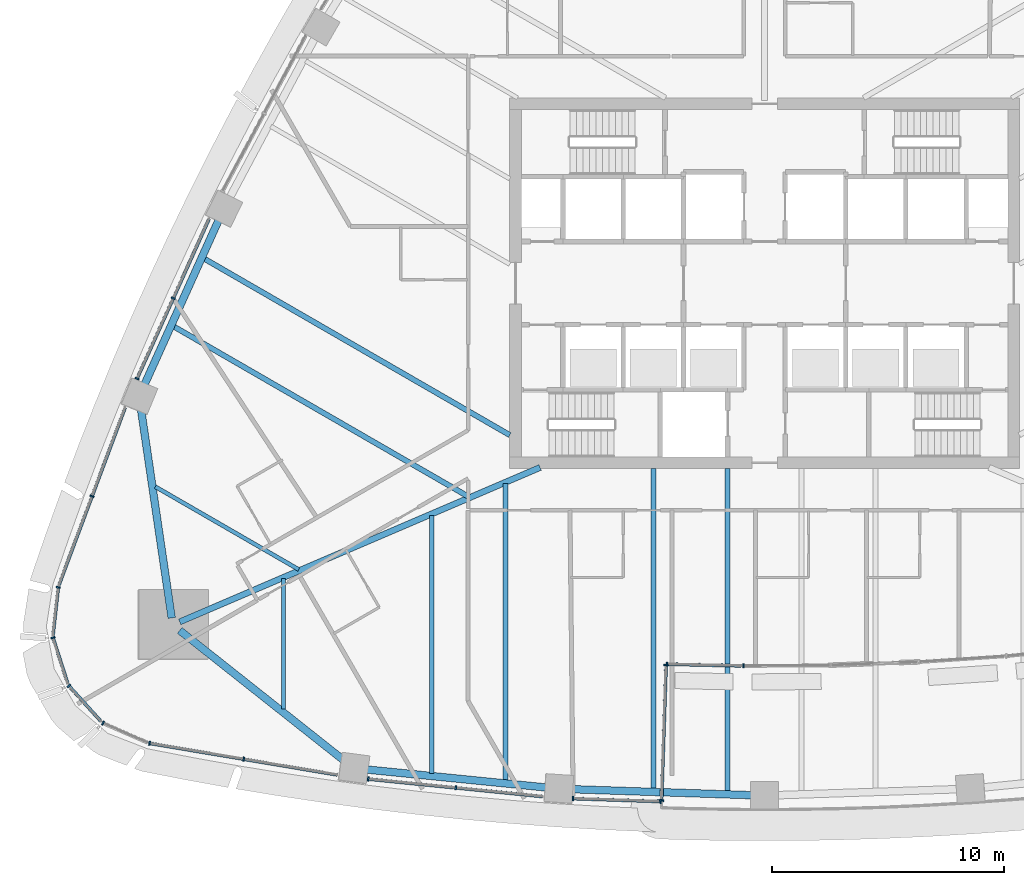
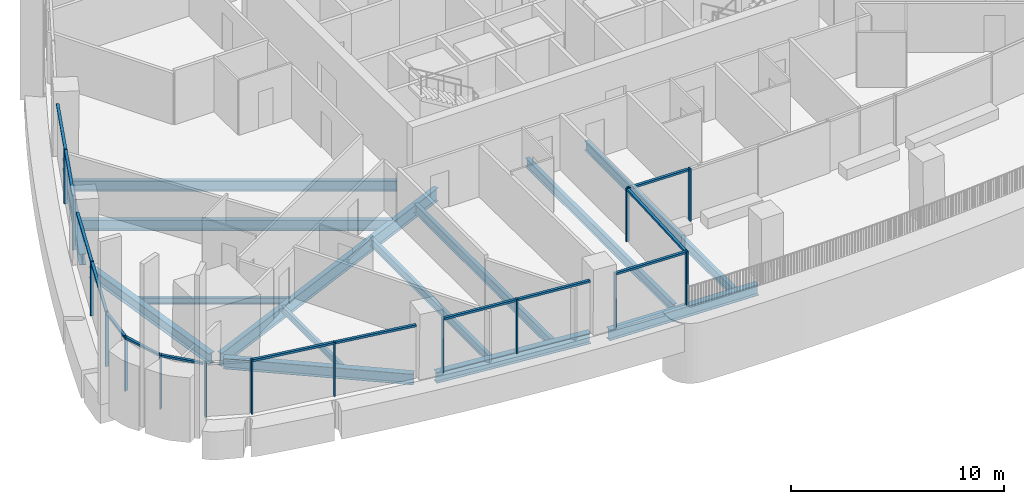
# One storey, part 2 of 22: 31 members, 14 beams, 12 elements without a shape of their own.
"""IFC4 building model written with IfcOpenShell, lengths in metres."""

from ifc_helpers import new_model, si_unit, direction, frame, origin, origin_2d, place, context, subcontext, project, spatial, rectangle, i_section, extrude, material, layer, layer_set, material_profile, profile_set, type_object, element, aggregate, save


model = new_model("IFC4")

# Units and contexts
model_context = context("Model", 3, precision=1e-05, world=origin(), true_north=direction((0.0, 1.0)))
body_context = subcontext(model_context, "Body", "Model", "MODEL_VIEW")
ifc_project = project(units=[si_unit("LENGTHUNIT", "METRE"), si_unit("AREAUNIT", "SQUARE_METRE"), si_unit("VOLUMEUNIT", "CUBIC_METRE"), si_unit("PLANEANGLEUNIT", "RADIAN"), si_unit("MASSUNIT", "GRAM", prefix="KILO")], contexts=[model_context])

# Site, building, storey
site_placement = place(None, origin())
site = spatial("IfcSite", under=ifc_project, at=site_placement, CompositionType="ELEMENT")
building_placement = place(site_placement, origin())
building = spatial("IfcBuilding", under=site, at=building_placement, Name="Sierra Prisma Convention Tower", CompositionType="ELEMENT")
storey_placement = place(building_placement, frame((0.0, 0.0, 103.5)))
storey = spatial("IfcBuildingStorey", under=building, at=storey_placement, Name="L22", CompositionType="ELEMENT", Elevation=103.5)

# Curtain wall, members
ifc_material_1 = material(Name="Aluminium and glass curtain wall", Category="aluminium")
ifc_layer_1 = layer(ifc_material_1, 0.179931640625)
ifc_layer_set_1 = layer_set([ifc_layer_1], Name="CW-1 Plain shaft curtain wall")
curtain_wall_type_1 = type_object("IfcCurtainWallType", Name="CW-1 Plain shaft curtain wall", PredefinedType="NOTDEFINED", material=ifc_layer_set_1)
curtain_wall_1_placement = place(storey_placement, origin())
curtain_wall_1 = element("IfcCurtainWall", 1, at=curtain_wall_1_placement, inside=storey, type_object=curtain_wall_type_1, Name="CW-1 NW5 L22", PredefinedType="NOTDEFINED")
ifc_material_2 = material(Name="Aluminium 6063-T6 bronze anodised", Category="aluminium")
ifc_material_profile_1 = material_profile(ifc_material_2, rectangle(XDim=0.179931640625, YDim=0.070068359375, at=origin_2d()), Name="ALU MULLION 70x180")
ifc_profile_set_1 = profile_set([ifc_material_profile_1], Name="Aluminium 6063-T6 bronze anodised")
member_type_1 = type_object("IfcMemberType", Name="CW mullion bronze", PredefinedType="MULLION", material=ifc_profile_set_1)
member_1_placement = place(storey_placement, frame((-25.5244140625, -0.652099609375, 0.0), z_axis=(0.0, 0.0, 1.0), x_axis=(0.911598754086, -0.411081149591, 0.0)))
member_1 = element("IfcMember", 2, at=member_1_placement, type_object=member_type_1, Name="CW-1 mullion NW5.2", PredefinedType="MULLION", context=body_context, shape_type="SweptSolid", body=[
    extrude(rectangle(XDim=0.179931640625, YDim=0.070068359375, at=origin_2d()), origin(), (0.0, 0.0, 1.0), 3.10009765625),
])
member_2_placement = place(storey_placement, frame((-27.087158203125, -4.117431640625, 0.0), z_axis=(0.0, 0.0, 1.0), x_axis=(0.911598754086, -0.411081149591, 0.0)))
member_2 = element("IfcMember", 3, at=member_2_placement, type_object=member_type_1, Name="CW-1 mullion NW5.3", PredefinedType="MULLION", context=body_context, shape_type="SweptSolid", body=[
    extrude(rectangle(XDim=0.179931640625, YDim=0.070068359375, at=origin_2d()), origin(), (0.0, 0.0, 1.0), 3.10009765625),
])

# Curtain wall, member
curtain_wall_2_placement = place(storey_placement, origin())
curtain_wall_2 = element("IfcCurtainWall", 4, at=curtain_wall_2_placement, inside=storey, type_object=curtain_wall_type_1, Name="CW-1 NW6 L22", PredefinedType="NOTDEFINED")
member_3_placement = place(storey_placement, frame((-29.02978515625, -9.196533203125, 0.0), z_axis=(0.0, 0.0, 1.0), x_axis=(0.936949300412, -0.349465317961, 0.0)))
member_3 = element("IfcMember", 5, at=member_3_placement, type_object=member_type_1, Name="CW-1 mullion NW6.2", PredefinedType="MULLION", context=body_context, shape_type="SweptSolid", body=[
    extrude(rectangle(XDim=0.179931640625, YDim=0.070068359375, at=origin_2d()), origin(), (0.0, 0.0, 1.0), 3.10009765625),
])

curtain_wall_3_placement = place(storey_placement, origin())
curtain_wall_3 = element("IfcCurtainWall", 6, at=curtain_wall_3_placement, inside=storey, type_object=curtain_wall_type_1, Name="CW-1 SW1 L22", PredefinedType="NOTDEFINED")
member_4_placement = place(storey_placement, frame((-30.487060546875, -13.1279296875, 0.0), z_axis=(0.0, 0.0, 1.0), x_axis=(0.993750098227, -0.111627694925, 0.0)))
member_4 = element("IfcMember", 7, at=member_4_placement, type_object=member_type_1, Name="CW-1 mullion SW1.1", PredefinedType="MULLION", context=body_context, shape_type="SweptSolid", body=[
    extrude(rectangle(XDim=0.179931640625, YDim=0.070068359375, at=origin_2d()), origin(), (0.0, 0.0, 1.0), 3.10009765625),
])

curtain_wall_4_placement = place(storey_placement, origin())
curtain_wall_4 = element("IfcCurtainWall", 8, at=curtain_wall_4_placement, inside=storey, type_object=curtain_wall_type_1, Name="CW-1 SW2 L22", PredefinedType="NOTDEFINED")
member_5_placement = place(storey_placement, frame((-30.717041015625, -15.30224609375, 0.0), z_axis=(0.0, 0.0, 1.0), x_axis=(0.951789392567, 0.306752265187, 0.0)))
member_5 = element("IfcMember", 9, at=member_5_placement, type_object=member_type_1, Name="CW-1 mullion SW2.1", PredefinedType="MULLION", context=body_context, shape_type="SweptSolid", body=[
    extrude(rectangle(XDim=0.179931640625, YDim=0.070068359375, at=origin_2d()), origin(), (0.0, 0.0, 1.0), 3.10009765625),
])

curtain_wall_5_placement = place(storey_placement, origin())
curtain_wall_5 = element("IfcCurtainWall", 10, at=curtain_wall_5_placement, inside=storey, type_object=curtain_wall_type_1, Name="CW-1 SW3 L22", PredefinedType="NOTDEFINED")
member_6_placement = place(storey_placement, frame((-30.032470703125, -17.37890625, 0.0), z_axis=(0.0, 0.0, 1.0), x_axis=(0.741549950604, 0.670897660422, 0.0)))
member_6 = element("IfcMember", 11, at=member_6_placement, type_object=member_type_1, Name="CW-1 mullion SW3.1", PredefinedType="MULLION", context=body_context, shape_type="SweptSolid", body=[
    extrude(rectangle(XDim=0.179931640625, YDim=0.070068359375, at=origin_2d()), origin(), (0.0, 0.0, 1.0), 3.10009765625),
])

curtain_wall_6_placement = place(storey_placement, origin())
curtain_wall_6 = element("IfcCurtainWall", 12, at=curtain_wall_6_placement, inside=storey, type_object=curtain_wall_type_1, Name="CW-1 SW4 L22", PredefinedType="NOTDEFINED")
member_7_placement = place(storey_placement, frame((-28.554931640625, -18.990478515625, 0.0), z_axis=(0.0, 0.0, 1.0), x_axis=(0.400202629542, 0.91642667754, 0.0)))
member_7 = element("IfcMember", 13, at=member_7_placement, type_object=member_type_1, Name="CW-1 mullion SW4.1", PredefinedType="MULLION", context=body_context, shape_type="SweptSolid", body=[
    extrude(rectangle(XDim=0.179931640625, YDim=0.070068359375, at=origin_2d()), origin(), (0.0, 0.0, 1.0), 3.10009765625),
])
aggregate(curtain_wall_6, [member_7])

# Curtain wall, members
curtain_wall_7_placement = place(storey_placement, origin())
curtain_wall_7 = element("IfcCurtainWall", 14, at=curtain_wall_7_placement, inside=storey, type_object=curtain_wall_type_1, Name="CW-1 S1 L22", PredefinedType="NOTDEFINED")
member_8_placement = place(storey_placement, frame((-26.546142578125, -19.8583984375, 0.0), z_axis=(0.0, 0.0, 1.0), x_axis=(0.16582880711, 0.986154555195, 0.0)))
member_8 = element("IfcMember", 15, at=member_8_placement, type_object=member_type_1, Name="CW-1 mullion S1.1", PredefinedType="MULLION", context=body_context, shape_type="SweptSolid", body=[
    extrude(rectangle(XDim=0.179931640625, YDim=0.070068359375, at=origin_2d()), origin(), (0.0, 0.0, 1.0), 3.10009765625),
])
member_9_placement = place(storey_placement, frame((-22.479248046875, -20.54248046875, 0.0), z_axis=(0.0, 0.0, 1.0), x_axis=(0.16582880711, 0.986154555195, 0.0)))
member_9 = element("IfcMember", 16, at=member_9_placement, type_object=member_type_1, Name="CW-1 mullion S1.2", PredefinedType="MULLION", context=body_context, shape_type="SweptSolid", body=[
    extrude(rectangle(XDim=0.179931640625, YDim=0.070068359375, at=origin_2d()), origin(), (0.0, 0.0, 1.0), 3.10009765625),
])

curtain_wall_8_placement = place(storey_placement, origin())
curtain_wall_8 = element("IfcCurtainWall", 17, at=curtain_wall_8_placement, inside=storey, type_object=curtain_wall_type_1, Name="CW-1 S2 L22", PredefinedType="NOTDEFINED")
member_10_placement = place(storey_placement, frame((-17.109375, -21.3994140625, 0.0), z_axis=(0.0, 0.0, 1.0), x_axis=(0.09979265848, 0.995008253892, 0.0)))
member_10 = element("IfcMember", 18, at=member_10_placement, type_object=member_type_1, Name="CW-1 mullion S2.1", PredefinedType="MULLION", context=body_context, shape_type="SweptSolid", body=[
    extrude(rectangle(XDim=0.179931640625, YDim=0.070068359375, at=origin_2d()), origin(), (0.0, 0.0, 1.0), 3.10009765625),
])
member_11_placement = place(storey_placement, frame((-13.3271484375, -21.77880859375, 0.0), z_axis=(0.0, 0.0, 1.0), x_axis=(0.09979265848, 0.995008253892, 0.0)))
member_11 = element("IfcMember", 19, at=member_11_placement, type_object=member_type_1, Name="CW-1 mullion S2.2", PredefinedType="MULLION", context=body_context, shape_type="SweptSolid", body=[
    extrude(rectangle(XDim=0.179931640625, YDim=0.070068359375, at=origin_2d()), origin(), (0.0, 0.0, 1.0), 3.10009765625),
])

curtain_wall_9_placement = place(storey_placement, origin())
curtain_wall_9 = element("IfcCurtainWall", 20, at=curtain_wall_9_placement, inside=storey, type_object=curtain_wall_type_1, Name="CW-1 S3 L22", PredefinedType="NOTDEFINED")
member_12_placement = place(storey_placement, frame((-8.265380859375, -22.2431640625, 0.0), z_axis=(0.0, 0.0, 1.0), x_axis=(0.033313514183, 0.999444950847, 0.0)))
member_12 = element("IfcMember", 21, at=member_12_placement, type_object=member_type_1, Name="CW-1 mullion S3.1", PredefinedType="MULLION", context=body_context, shape_type="SweptSolid", body=[
    extrude(rectangle(XDim=0.179931640625, YDim=0.070068359375, at=origin_2d()), origin(), (0.0, 0.0, 1.0), 3.10009765625),
])
member_13_placement = place(storey_placement, frame((-4.485107421875, -22.369140625, 0.0), z_axis=(0.0, 0.0, 1.0), x_axis=(0.033313514183, 0.999444950847, 0.0)))
member_13 = element("IfcMember", 22, at=member_13_placement, type_object=member_type_1, Name="CW-1 mullion S3.2", PredefinedType="MULLION", context=body_context, shape_type="SweptSolid", body=[
    extrude(rectangle(XDim=0.179931640625, YDim=0.070068359375, at=origin_2d()), origin(), (0.0, 0.0, 1.0), 3.10009765625),
])

# Curtain wall, member
ifc_material_3 = material(Name="Aluminium and glass curtain wall", Category="aluminium")
ifc_layer_2 = layer(ifc_material_3, 0.179931640625)
ifc_layer_set_2 = layer_set([ifc_layer_2], Name="CW-6 Terrace recess curtain wall")
curtain_wall_type_2 = type_object("IfcCurtainWallType", Name="CW-6 Terrace recess curtain wall", PredefinedType="NOTDEFINED", material=ifc_layer_set_2)
curtain_wall_10_placement = place(storey_placement, origin())
curtain_wall_10 = element("IfcCurtainWall", 23, at=curtain_wall_10_placement, inside=storey, type_object=curtain_wall_type_2, Name="CW-6 R1 L22", PredefinedType="NOTDEFINED")
member_14_placement = place(storey_placement, frame((-4.217529296875, -16.442138671875, 0.0), z_axis=(0.0, 0.0, 1.0), x_axis=(0.022211292695, 0.999753298808, 0.0)))
member_14 = element("IfcMember", 24, at=member_14_placement, type_object=member_type_1, Name="CW-6 mullion R1.1", PredefinedType="MULLION", context=body_context, shape_type="SweptSolid", body=[
    extrude(rectangle(XDim=0.179931640625, YDim=0.070068359375, at=origin_2d()), origin(), (0.0, 0.0, 1.0), 3.0400390625),
])

curtain_wall_11_placement = place(storey_placement, origin())
curtain_wall_11 = element("IfcCurtainWall", 25, at=curtain_wall_11_placement, inside=storey, type_object=curtain_wall_type_2, Name="CW-6 R2 L22", PredefinedType="NOTDEFINED")
member_15_placement = place(storey_placement, frame((-0.91162109375, -16.5146484375, 0.0), z_axis=(0.0, 0.0, 1.0), x_axis=(-0.007404305468, 0.999972587755, 0.0)))
member_15 = element("IfcMember", 26, at=member_15_placement, type_object=member_type_1, Name="CW-6 mullion R2.1", PredefinedType="MULLION", context=body_context, shape_type="SweptSolid", body=[
    extrude(rectangle(XDim=0.179931640625, YDim=0.070068359375, at=origin_2d()), origin(), (0.0, 0.0, 1.0), 3.0400390625),
])
aggregate(curtain_wall_11, [member_15])

# Curtain wall, members
curtain_wall_12_placement = place(storey_placement, origin())
curtain_wall_12 = element("IfcCurtainWall", 27, at=curtain_wall_12_placement, inside=storey, type_object=curtain_wall_type_2, Name="CW-6 RT1 L22", PredefinedType="NOTDEFINED")
member_16_placement = place(storey_placement, frame((-4.448974609375, -22.335205078125, 0.0), z_axis=(0.0, 0.0, 1.0), x_axis=(-0.999444950847, 0.033313514183, 0.0)))
member_16 = element("IfcMember", 28, at=member_16_placement, type_object=member_type_1, Name="CW-6 mullion RT1.1", PredefinedType="MULLION", context=body_context, shape_type="SweptSolid", body=[
    extrude(rectangle(XDim=0.179931640625, YDim=0.070068359375, at=origin_2d()), origin(), (0.0, 0.0, 1.0), 3.0400390625),
])
member_17_placement = place(storey_placement, frame((-4.253662109375, -16.476318359375, 0.0), z_axis=(0.0, 0.0, 1.0), x_axis=(-0.999444950847, 0.033313514183, 0.0)))
member_17 = element("IfcMember", 29, at=member_17_placement, type_object=member_type_1, Name="CW-6 mullion RT1.2", PredefinedType="MULLION", context=body_context, shape_type="SweptSolid", body=[
    extrude(rectangle(XDim=0.179931640625, YDim=0.070068359375, at=origin_2d()), origin(), (0.0, 0.0, 1.0), 3.0400390625),
])

# Member
ifc_material_4 = material(Name="Aluminium 6063-T6 bronze anodised", Category="aluminium")
ifc_material_profile_2 = material_profile(ifc_material_4, rectangle(XDim=0.139892578125, YDim=0.1201171875, at=origin_2d()), Name="ALU TRANSOM 120x140")
ifc_profile_set_2 = profile_set([ifc_material_profile_2], Name="Aluminium 6063-T6 bronze anodised")
member_type_2 = type_object("IfcMemberType", Name="CW transom bronze", PredefinedType="USERDEFINED", material=ifc_profile_set_2)
member_18_placement = place(storey_placement, frame((-23.976318359375, 2.78125, 3.0400390625), z_axis=(-0.411025661948, -0.911623773944, 0.0), x_axis=(0.911623773944, -0.411025661948, 0.0)))
member_18 = element("IfcMember", 30, at=member_18_placement, type_object=member_type_2, Name="CW-1 transom NW5.1", ObjectType="TRANSOM", PredefinedType="USERDEFINED", context=body_context, shape_type="SweptSolid", body=[
    extrude(rectangle(XDim=0.139892578125, YDim=0.1201171875, at=origin_2d()), origin(), (0.0, 0.0, 1.0), 3.7314453125),
])

member_19_placement = place(storey_placement, frame((-25.538818359375, -0.68408203125, 3.0400390625), z_axis=(-0.411080035132, -0.911599256645, 0.0), x_axis=(0.911599256645, -0.411080035132, 0.0)))
member_19 = element("IfcMember", 31, at=member_19_placement, type_object=member_type_2, Name="CW-1 transom NW5.2", ObjectType="TRANSOM", PredefinedType="USERDEFINED", context=body_context, shape_type="SweptSolid", body=[
    extrude(rectangle(XDim=0.139892578125, YDim=0.1201171875, at=origin_2d()), origin(), (0.0, 0.0, 1.0), 3.7314453125),
])

aggregate(curtain_wall_1, [member_1, member_2, member_18, member_19])

member_20_placement = place(storey_placement, frame((-27.600830078125, -5.365234375, 3.0400390625), z_axis=(-0.349472956494, -0.93694645134, 0.0), x_axis=(0.93694645134, -0.349472956494, 0.0)))
member_20 = element("IfcMember", 32, at=member_20_placement, type_object=member_type_2, Name="CW-1 transom NW6.1", ObjectType="TRANSOM", PredefinedType="USERDEFINED", context=body_context, shape_type="SweptSolid", body=[
    extrude(rectangle(XDim=0.139892578125, YDim=0.1201171875, at=origin_2d()), origin(), (0.0, 0.0, 1.0), 4.053955078125),
])

member_21_placement = place(storey_placement, frame((-29.0419921875, -9.229248046875, 3.0400390625), z_axis=(-0.349472956494, -0.93694645134, 0.0), x_axis=(0.93694645134, -0.349472956494, 0.0)))
member_21 = element("IfcMember", 33, at=member_21_placement, type_object=member_type_2, Name="CW-1 transom NW6.2", ObjectType="TRANSOM", PredefinedType="USERDEFINED", context=body_context, shape_type="SweptSolid", body=[
    extrude(rectangle(XDim=0.139892578125, YDim=0.1201171875, at=origin_2d()), origin(), (0.0, 0.0, 1.0), 4.053955078125),
])

aggregate(curtain_wall_2, [member_3, member_20, member_21])

member_22_placement = place(storey_placement, frame((-30.490966796875, -13.16259765625, 3.0400390625), z_axis=(-0.111608043891, -0.993752305426, 0.0), x_axis=(0.993752305426, -0.111608043891, 0.0)))
member_22 = element("IfcMember", 34, at=member_22_placement, type_object=member_type_2, Name="CW-1 transom SW1.1", ObjectType="TRANSOM", PredefinedType="USERDEFINED", context=body_context, shape_type="SweptSolid", body=[
    extrude(rectangle(XDim=0.139892578125, YDim=0.1201171875, at=origin_2d()), origin(), (0.0, 0.0, 1.0), 2.049560546875),
])

aggregate(curtain_wall_3, [member_4, member_22])

member_23_placement = place(storey_placement, frame((-30.706298828125, -15.33544921875, 3.0400390625), z_axis=(0.306849639439, -0.951758004314, 0.0), x_axis=(0.951758004314, 0.306849639439, 0.0)))
member_23 = element("IfcMember", 35, at=member_23_placement, type_object=member_type_2, Name="CW-1 transom SW2.1", ObjectType="TRANSOM", PredefinedType="USERDEFINED", context=body_context, shape_type="SweptSolid", body=[
    extrude(rectangle(XDim=0.139892578125, YDim=0.1201171875, at=origin_2d()), origin(), (0.0, 0.0, 1.0), 2.049560546875),
])

aggregate(curtain_wall_4, [member_5, member_23])

member_24_placement = place(storey_placement, frame((-30.009033203125, -17.40478515625, 3.0400390625), z_axis=(0.670903966328, -0.741544245453, 0.0), x_axis=(0.741544245453, 0.670903966328, 0.0)))
member_24 = element("IfcMember", 36, at=member_24_placement, type_object=member_type_2, Name="CW-1 transom SW3.1", ObjectType="TRANSOM", PredefinedType="USERDEFINED", context=body_context, shape_type="SweptSolid", body=[
    extrude(rectangle(XDim=0.139892578125, YDim=0.1201171875, at=origin_2d()), origin(), (0.0, 0.0, 1.0), 2.049560546875),
])

aggregate(curtain_wall_5, [member_6, member_24])

member_25_placement = place(storey_placement, frame((-26.511474609375, -19.8642578125, 3.0400390625), z_axis=(0.986150331217, -0.165853924407, 0.0), x_axis=(0.165853924407, 0.986150331217, 0.0)))
member_25 = element("IfcMember", 37, at=member_25_placement, type_object=member_type_2, Name="CW-1 transom S1.1", ObjectType="TRANSOM", PredefinedType="USERDEFINED", context=body_context, shape_type="SweptSolid", body=[
    extrude(rectangle(XDim=0.139892578125, YDim=0.1201171875, at=origin_2d()), origin(), (0.0, 0.0, 1.0), 4.053955078125),
])

member_26_placement = place(storey_placement, frame((-22.44482421875, -20.548095703125, 3.0400390625), z_axis=(0.986150331217, -0.165853924407, 0.0), x_axis=(0.165853924407, 0.986150331217, 0.0)))
member_26 = element("IfcMember", 38, at=member_26_placement, type_object=member_type_2, Name="CW-1 transom S1.2", ObjectType="TRANSOM", PredefinedType="USERDEFINED", context=body_context, shape_type="SweptSolid", body=[
    extrude(rectangle(XDim=0.139892578125, YDim=0.1201171875, at=origin_2d()), origin(), (0.0, 0.0, 1.0), 4.053955078125),
])

aggregate(curtain_wall_7, [member_8, member_9, member_25, member_26])

member_27_placement = place(storey_placement, frame((-17.07470703125, -21.40283203125, 3.0400390625), z_axis=(0.995003448356, -0.099840561691, 0.0), x_axis=(0.099840561691, 0.995003448356, 0.0)))
member_27 = element("IfcMember", 39, at=member_27_placement, type_object=member_type_2, Name="CW-1 transom S2.1", ObjectType="TRANSOM", PredefinedType="USERDEFINED", context=body_context, shape_type="SweptSolid", body=[
    extrude(rectangle(XDim=0.139892578125, YDim=0.1201171875, at=origin_2d()), origin(), (0.0, 0.0, 1.0), 3.7314453125),
])

member_28_placement = place(storey_placement, frame((-13.292236328125, -21.7822265625, 3.0400390625), z_axis=(0.995009294452, -0.099782282767, 0.0), x_axis=(0.099782282767, 0.995009294452, 0.0)))
member_28 = element("IfcMember", 40, at=member_28_placement, type_object=member_type_2, Name="CW-1 transom S2.2", ObjectType="TRANSOM", PredefinedType="USERDEFINED", context=body_context, shape_type="SweptSolid", body=[
    extrude(rectangle(XDim=0.139892578125, YDim=0.1201171875, at=origin_2d()), origin(), (0.0, 0.0, 1.0), 3.731201171875),
])

aggregate(curtain_wall_8, [member_10, member_11, member_27, member_28])

member_29_placement = place(storey_placement, frame((-8.23046875, -22.244140625, 3.0400390625), z_axis=(0.999444030786, -0.033341105646, 0.0), x_axis=(0.033341105646, 0.999444030786, 0.0)))
member_29 = element("IfcMember", 41, at=member_29_placement, type_object=member_type_2, Name="CW-1 transom S3.1", ObjectType="TRANSOM", PredefinedType="USERDEFINED", context=body_context, shape_type="SweptSolid", body=[
    extrude(rectangle(XDim=0.139892578125, YDim=0.1201171875, at=origin_2d()), origin(), (0.0, 0.0, 1.0), 3.71240234375),
])

aggregate(curtain_wall_9, [member_12, member_13, member_29])

member_30_placement = place(storey_placement, frame((-4.182373046875, -16.443115234375, 2.97998046875), z_axis=(0.999753444146, -0.022204749897, 0.0), x_axis=(0.022204749897, 0.999753444146, 0.0)))
member_30 = element("IfcMember", 42, at=member_30_placement, type_object=member_type_2, Name="CW-6 transom R1.1", ObjectType="TRANSOM", PredefinedType="USERDEFINED", context=body_context, shape_type="SweptSolid", body=[
    extrude(rectangle(XDim=0.139892578125, YDim=0.1201171875, at=origin_2d()), origin(), (0.0, 0.0, 1.0), 3.16650390625),
])

aggregate(curtain_wall_10, [member_14, member_30])

member_31_placement = place(storey_placement, frame((-4.44775390625, -22.30029296875, 2.97998046875), z_axis=(0.033341496269, 0.999444017755, 0.0), x_axis=(-0.999444017755, 0.033341496269, 0.0)))
member_31 = element("IfcMember", 43, at=member_31_placement, type_object=member_type_2, Name="CW-6 transom RT1.1", ObjectType="TRANSOM", PredefinedType="USERDEFINED", context=body_context, shape_type="SweptSolid", body=[
    extrude(rectangle(XDim=0.139892578125, YDim=0.1201171875, at=origin_2d()), origin(), (0.0, 0.0, 1.0), 5.7919921875),
])

aggregate(curtain_wall_12, [member_16, member_17, member_31])

# Beams
ifc_material_5 = material(Name="Steel ASTM A992 Gr 50", Category="steel")
ifc_material_profile_3 = material_profile(ifc_material_5, i_section(OverallWidth=0.172119140625, OverallDepth=0.35791015625, WebThickness=0.0078125, FlangeThickness=0.01318359375, at=origin_2d()), Name="W360x57")
ifc_profile_set_3 = profile_set([ifc_material_profile_3], Name="Steel ASTM A992 Gr 50")
beam_type_1 = type_object("IfcBeamType", Name="Floor joist W360x57", PredefinedType="JOIST", material=ifc_profile_set_3)
beam_1_placement = place(storey_placement, frame((-20.756591796875, -18.38427734375, -0.3291015625), z_axis=(0.0, 1.0, 0.0), x_axis=(-1.0, 0.0, 0.0)))
element("IfcBeam", 44, at=beam_1_placement, inside=storey, type_object=beam_type_1, Name="Floor joist L22 S02", PredefinedType="JOIST", context=body_context, shape_type="SweptSolid", body=[
    extrude(i_section(OverallWidth=0.172119140625, OverallDepth=0.35791015625, WebThickness=0.0078125, FlangeThickness=0.01318359375, at=origin_2d()), origin(), (0.0, 0.0, 1.0), 5.63037109375),
])
beam_2_placement = place(storey_placement, frame((-26.299560546875, -8.78369140625, -0.3291015625), z_axis=(0.86603096638, -0.499990365178, 0.0), x_axis=(0.499990365178, 0.86603096638, 0.0)))
element("IfcBeam", 45, at=beam_2_placement, inside=storey, type_object=beam_type_1, Name="Floor joist L22 NW15", PredefinedType="JOIST", context=body_context, shape_type="SweptSolid", body=[
    extrude(i_section(OverallWidth=0.172119140625, OverallDepth=0.35791015625, WebThickness=0.0078125, FlangeThickness=0.01318359375, at=origin_2d()), origin(), (0.0, 0.0, 1.0), 7.152099609375),
])
ifc_material_6 = material(Name="Steel ASTM A992 Gr 50", Category="steel")
ifc_material_profile_4 = material_profile(ifc_material_6, i_section(OverallWidth=0.18994140625, OverallDepth=0.45703125, WebThickness=0.009033203125, FlangeThickness=0.014404296875, at=origin_2d()), Name="W460x74")
ifc_profile_set_4 = profile_set([ifc_material_profile_4], Name="Steel ASTM A992 Gr 50")
beam_type_2 = type_object("IfcBeamType", Name="Floor joist W460x74", PredefinedType="JOIST", material=ifc_profile_set_4)
beam_3_placement = place(storey_placement, frame((-14.369873046875, -21.1591796875, -0.37841796875), z_axis=(0.0, 1.0, 0.0), x_axis=(-1.0, 0.0, 0.0)))
element("IfcBeam", 46, at=beam_3_placement, inside=storey, type_object=beam_type_2, Name="Floor joist L22 S04", PredefinedType="JOIST", context=body_context, shape_type="SweptSolid", body=[
    extrude(i_section(OverallWidth=0.18994140625, OverallDepth=0.45703125, WebThickness=0.009033203125, FlangeThickness=0.014404296875, at=origin_2d()), origin(), (0.0, 0.0, 1.0), 11.142822265625),
])
ifc_material_7 = material(Name="Steel ASTM A992 Gr 50", Category="steel")
ifc_material_profile_5 = material_profile(ifc_material_7, i_section(OverallWidth=0.208984375, OverallDepth=0.532958984375, WebThickness=0.01025390625, FlangeThickness=0.015625, at=origin_2d()), Name="W530x92")
ifc_profile_set_5 = profile_set([ifc_material_profile_5], Name="Steel ASTM A992 Gr 50")
beam_type_3 = type_object("IfcBeamType", Name="Floor joist W530x92", PredefinedType="JOIST", material=ifc_profile_set_5)
beam_4_placement = place(storey_placement, frame((-11.176513671875, -21.4794921875, -0.41650390625), z_axis=(0.0, 1.0, 0.0), x_axis=(-1.0, 0.0, 0.0)))
element("IfcBeam", 47, at=beam_4_placement, inside=storey, type_object=beam_type_3, Name="Floor joist L22 S05", PredefinedType="JOIST", context=body_context, shape_type="SweptSolid", body=[
    extrude(i_section(OverallWidth=0.208984375, OverallDepth=0.532958984375, WebThickness=0.01025390625, FlangeThickness=0.015625, at=origin_2d()), origin(), (0.0, 0.0, 1.0), 12.831787109375),
])
beam_5_placement = place(storey_placement, frame((-4.7900390625, -21.846435546875, -0.41650390625), z_axis=(0.0, 1.0, 0.0), x_axis=(-1.0, 0.0, 0.0)))
element("IfcBeam", 48, at=beam_5_placement, inside=storey, type_object=beam_type_3, Name="Floor joist L22 S07", PredefinedType="JOIST", context=body_context, shape_type="SweptSolid", body=[
    extrude(i_section(OverallWidth=0.208984375, OverallDepth=0.532958984375, WebThickness=0.01025390625, FlangeThickness=0.015625, at=origin_2d()), origin(), (0.0, 0.0, 1.0), 13.846435546875),
])
beam_6_placement = place(storey_placement, frame((-1.5966796875, -21.952880859375, -0.56640625), z_axis=(0.0, 1.0, 0.0), x_axis=(-1.0, 0.0, 0.0)))
element("IfcBeam", 49, at=beam_6_placement, inside=storey, type_object=beam_type_3, Name="Floor joist L22 S08", PredefinedType="JOIST", context=body_context, shape_type="SweptSolid", body=[
    extrude(i_section(OverallWidth=0.208984375, OverallDepth=0.532958984375, WebThickness=0.01025390625, FlangeThickness=0.015625, at=origin_2d()), origin(), (0.0, 0.0, 1.0), 13.952880859375),
])
ifc_material_8 = material(Name="Steel ASTM A992 Gr 50", Category="steel")
ifc_material_profile_6 = material_profile(ifc_material_8, i_section(OverallWidth=0.22802734375, OverallDepth=0.60302734375, WebThickness=0.010498046875, FlangeThickness=0.014892578125, at=origin_2d()), Name="W610x101")
ifc_profile_set_6 = profile_set([ifc_material_profile_6], Name="Steel ASTM A992 Gr 50")
beam_type_4 = type_object("IfcBeamType", Name="Floor joist W610x101", PredefinedType="JOIST", material=ifc_profile_set_6)
beam_7_placement = place(storey_placement, frame((-24.18994140625, 1.060546875, -0.451416015625), z_axis=(0.866024887666, -0.500000893942, 0.0), x_axis=(0.500000893942, 0.866024887666, 0.0)))
element("IfcBeam", 50, at=beam_7_placement, inside=storey, type_object=beam_type_4, Name="Floor joist L22 NW12", PredefinedType="JOIST", context=body_context, shape_type="SweptSolid", body=[
    extrude(i_section(OverallWidth=0.22802734375, OverallDepth=0.60302734375, WebThickness=0.010498046875, FlangeThickness=0.014892578125, at=origin_2d()), origin(), (0.0, 0.0, 1.0), 15.23046875),
])
beam_8_placement = place(storey_placement, frame((-25.50927734375, -1.865234375, -0.451416015625), z_axis=(0.866029645824, -0.499992652499, 0.0), x_axis=(0.499992652499, 0.866029645824, 0.0)))
element("IfcBeam", 51, at=beam_8_placement, inside=storey, type_object=beam_type_4, Name="Floor joist L22 NW13", PredefinedType="JOIST", context=body_context, shape_type="SweptSolid", body=[
    extrude(i_section(OverallWidth=0.22802734375, OverallDepth=0.60302734375, WebThickness=0.010498046875, FlangeThickness=0.014892578125, at=origin_2d()), origin(), (0.0, 0.0, 1.0), 14.704345703125),
])
ifc_material_9 = material(Name="Steel ASTM A992 Gr 50", Category="steel")
ifc_material_profile_7 = material_profile(ifc_material_9, i_section(OverallWidth=0.264892578125, OverallDepth=0.7529296875, WebThickness=0.01318359375, FlangeThickness=0.01708984375, at=origin_2d()), Name="W760x147")
ifc_profile_set_7 = profile_set([ifc_material_profile_7], Name="Steel ASTM A992 Gr 50")
beam_type_5 = type_object("IfcBeamType", Name="Radial girder W760x147", PredefinedType="BEAM", material=ifc_profile_set_7)
beam_9_placement = place(storey_placement, frame((-25.24658203125, -14.62060546875, -0.526611328125), z_axis=(0.919129361542, 0.393955856349, 0.0), x_axis=(-0.393955856349, 0.919129361542, 0.0)))
element("IfcBeam", 52, at=beam_9_placement, inside=storey, type_object=beam_type_5, Name="Radial girder L22 SW", PredefinedType="BEAM", context=body_context, shape_type="SweptSolid", body=[
    extrude(i_section(OverallWidth=0.264892578125, OverallDepth=0.7529296875, WebThickness=0.01318359375, FlangeThickness=0.01708984375, at=origin_2d()), origin(), (0.0, 0.0, 1.0), 16.92578125),
])
ifc_material_10 = material(Name="Steel ASTM A992 Gr 50", Category="steel")
ifc_material_profile_8 = material_profile(ifc_material_10, i_section(OverallWidth=0.324951171875, OverallDepth=0.615966796875, WebThickness=0.013916015625, FlangeThickness=0.021484375, at=origin_2d()), Name="W610x174")
ifc_profile_set_8 = profile_set([ifc_material_profile_8], Name="Steel ASTM A992 Gr 50")
beam_type_6 = type_object("IfcBeamType", Name="Spandrel beam W610x174", PredefinedType="BEAM", material=ifc_profile_set_8)
beam_10_placement = place(storey_placement, frame((-25.24658203125, -14.98681640625, -0.4580078125), z_axis=(0.784035379073, -0.620716138313, 0.0), x_axis=(0.620716138313, 0.784035379073, 0.0)))
element("IfcBeam", 53, at=beam_10_placement, inside=storey, type_object=beam_type_6, Name="Spandrel L22-01", PredefinedType="BEAM", context=body_context, shape_type="SweptSolid", body=[
    extrude(i_section(OverallWidth=0.324951171875, OverallDepth=0.615966796875, WebThickness=0.013916015625, FlangeThickness=0.021484375, at=origin_2d()), origin(), (0.0, 0.0, 1.0), 9.005126953125),
])
beam_11_placement = place(storey_placement, frame((-17.255126953125, -20.983154296875, -0.4580078125), z_axis=(0.995010025636, -0.099774991278, 0.0), x_axis=(0.099774991278, 0.995010025636, 0.0)))
element("IfcBeam", 54, at=beam_11_placement, inside=storey, type_object=beam_type_6, Name="Spandrel L22-02", PredefinedType="BEAM", context=body_context, shape_type="SweptSolid", body=[
    extrude(i_section(OverallWidth=0.324951171875, OverallDepth=0.615966796875, WebThickness=0.013916015625, FlangeThickness=0.021484375, at=origin_2d()), origin(), (0.0, 0.0, 1.0), 7.930419921875),
])
for number, where, z_axis, x_axis, name in (
    (55, (-8.40625, -21.83837890625, -0.60791015625), (0.999445111962, -0.033308680193, 0.0), (0.033308680193, 0.999445111962, 0.0), "Spandrel L22-03"),
    (56, (-23.539306640625, 2.777587890625, -0.4580078125), (-0.411096717853, -0.911591733492, 0.0), (0.911591733492, -0.411096717853, 0.0), "Spandrel L22-17"),
):
    element("IfcBeam", number, at=place(storey_placement, frame(where, z_axis=z_axis, x_axis=x_axis)), inside=storey, type_object=beam_type_6, Name=name, PredefinedType="BEAM", context=body_context, shape_type="SweptSolid", body=[
        extrude(i_section(OverallWidth=0.324951171875, OverallDepth=0.615966796875, WebThickness=0.013916015625, FlangeThickness=0.021484375, at=origin_2d()), origin(), (0.0, 0.0, 1.0), 7.9306640625),
    ])
beam_12_placement = place(storey_placement, frame((-26.912841796875, -5.461669921875, -0.4580078125), z_axis=(0.145555113254, -0.989350144795, 0.0), x_axis=(0.989350144795, 0.145555113254, 0.0)))
element("IfcBeam", 57, at=beam_12_placement, inside=storey, type_object=beam_type_6, Name="Spandrel L22-18", PredefinedType="BEAM", context=body_context, shape_type="SweptSolid", body=[
    extrude(i_section(OverallWidth=0.324951171875, OverallDepth=0.615966796875, WebThickness=0.013916015625, FlangeThickness=0.021484375, at=origin_2d()), origin(), (0.0, 0.0, 1.0), 9.084228515625),
])

save(model, "model.ifc")
